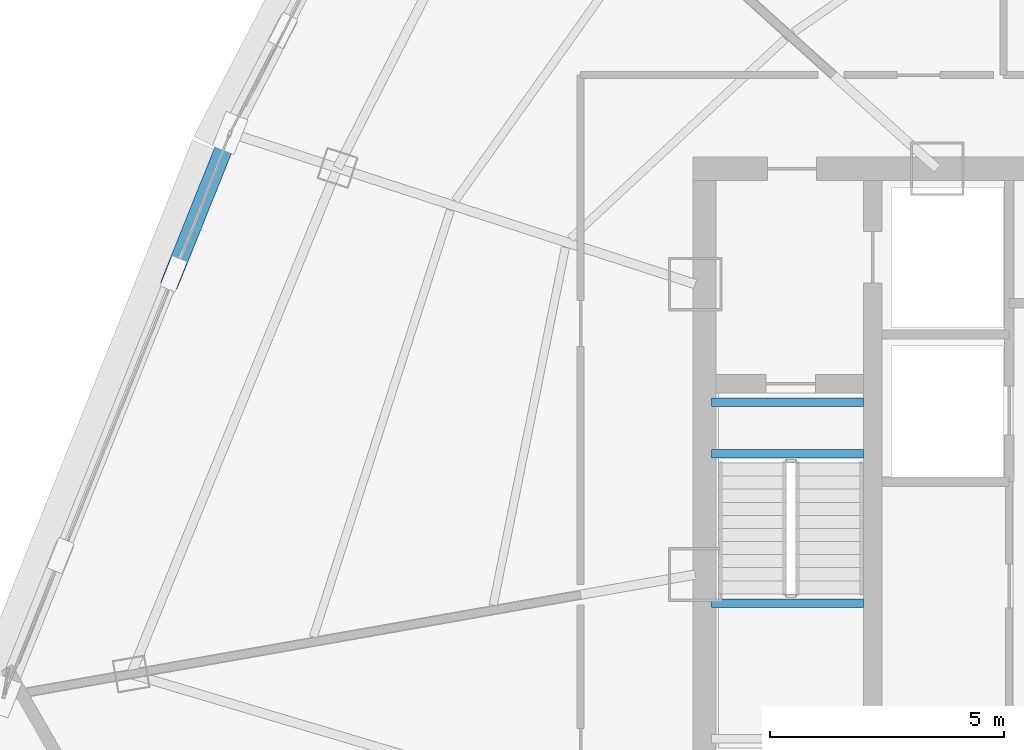
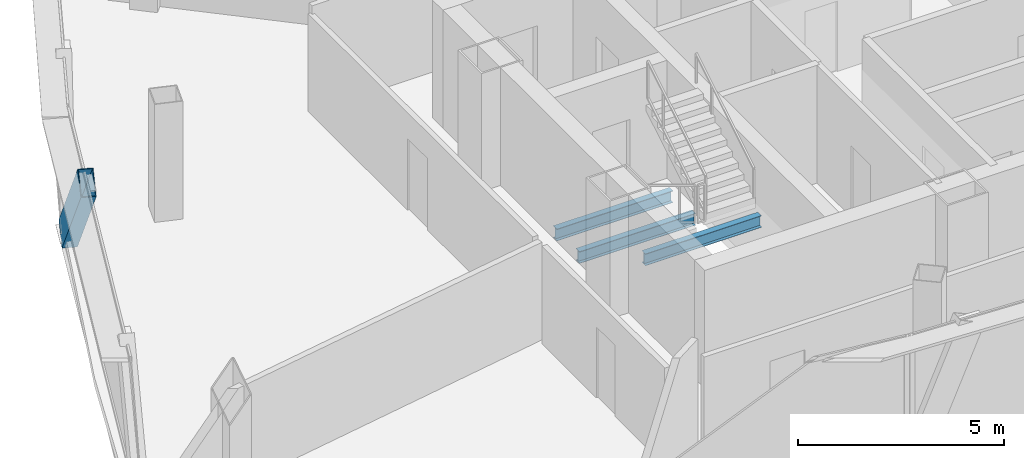
# One storey, part 6 of 30: 3 beams, 1 member.
"""IFC4 building model written with IfcOpenShell, lengths in metres."""

from ifc_helpers import new_model, si_unit, direction, frame, origin, origin_2d, place, context, subcontext, project, spatial, hollow_rectangle, i_section, extrude, source, transform, mapped, material, material_profile, profile_set, type_object, element, save


model = new_model("IFC4")

# Units and contexts
model_context = context("Model", 3, precision=1e-05, world=origin(), true_north=direction((0.0, 1.0)))
body_context = subcontext(model_context, "Body", "Model", "MODEL_VIEW")
ifc_project = project(units=[si_unit("LENGTHUNIT", "METRE"), si_unit("AREAUNIT", "SQUARE_METRE"), si_unit("VOLUMEUNIT", "CUBIC_METRE"), si_unit("PLANEANGLEUNIT", "RADIAN"), si_unit("MASSUNIT", "GRAM", prefix="KILO"), si_unit("THERMODYNAMICTEMPERATUREUNIT", "KELVIN"), si_unit("POWERUNIT", "WATT")], contexts=[model_context])

# Site, building, storey
site_placement = place(None, origin())
site = spatial("IfcSite", under=ifc_project, at=site_placement, CompositionType="ELEMENT")
building_placement = place(site_placement, origin())
building = spatial("IfcBuilding", under=site, at=building_placement, Name="Yunzhuo Pagoda Commons", CompositionType="ELEMENT")
storey_placement = place(building_placement, frame((0.0, 0.0, 351.760009765625)))
storey = spatial("IfcBuildingStorey", under=building, at=storey_placement, Name="L88", CompositionType="ELEMENT", Elevation=351.760009765625)

# Beams
ifc_material = material(Name="Structural steel Q355B", Category="steel")
ifc_material_profile_1 = material_profile(ifc_material, i_section(OverallWidth=0.175048828125, OverallDepth=0.35009765625, WebThickness=0.007080078125, FlangeThickness=0.010986328125, at=origin_2d()), Name="Structural steel Q355B")
ifc_profile_set_1 = profile_set([ifc_material_profile_1], Name="Structural steel Q355B")
beam_type = type_object("IfcBeamType", Name="B-JS2 Joist HN 350x175x7x11", PredefinedType="JOIST", material=ifc_profile_set_1)
shared_shape_1 = source(origin(), body_context, "Body", "SweptSolid", [
    extrude(i_section(OverallWidth=0.175048828125, OverallDepth=0.35009765625, WebThickness=0.007080078125, FlangeThickness=0.010986328125, at=origin_2d()), origin(), (0.0, 0.0, 1.0), 3.25),
])
for number, where, z_axis, x_axis, name in (
    (1, (35.949951171875, 30.89990234375, 1.5), (1.0, 0.0, 0.0), (0.0, 1.0, 0.0), "L88 ST1 landing support beam 94B"),
    (2, (35.949951171875, 34.10009765625, -0.375), (1.0, 0.0, 0.0), (0.0, 1.0, 0.0), "L88 ST1 landing support beam 192A"),
    (3, (35.949951171875, 35.199951171875, -0.375), (1.0, 0.0, 0.0), (0.0, 1.0, 0.0), "L88 ST1 landing support beam 192B"),
):
    element("IfcBeam", number, at=place(storey_placement, frame(where, z_axis=z_axis, x_axis=x_axis)), inside=storey, type_object=beam_type, Name=name, PredefinedType="JOIST", context=body_context, shape_type="MappedRepresentation", body=[
        mapped(shared_shape_1, transform((0.0, 0.0, 0.0), scale=1.0)),
    ])

# Member
ifc_material_profile_2 = material_profile(ifc_material, hollow_rectangle(XDim=0.3798828125, YDim=0.719970703125, WallThickness=0.02001953125, at=origin_2d()), Name="Structural steel Q355B")
ifc_profile_set_2 = profile_set([ifc_material_profile_2], Name="Structural steel Q355B")
member_type = type_object("IfcMemberType", Name="M-DL3 Brace BOX 720x380x20", PredefinedType="BRACE", material=ifc_profile_set_2)
shared_shape_2 = source(origin(), body_context, "Body", "SweptSolid", [
    extrude(hollow_rectangle(XDim=0.3798828125, YDim=0.719970703125, WallThickness=0.02001953125, at=origin_2d()), origin(), (0.0, 0.0, 1.0), 4.9609375),
])
member_placement = place(storey_placement, frame((25.646240234375, 40.963134765625, -0.260009765625), z_axis=(-0.243893842105, -0.60756928463, 0.755893747928), x_axis=(0.928019800573, -0.37253087086, 0.0)))
element("IfcMember", 4, at=member_placement, inside=storey, type_object=member_type, Name="L88 facade diamond brace F3.3L", PredefinedType="BRACE", context=body_context, shape_type="MappedRepresentation", body=[
    mapped(shared_shape_2, transform((0.0, 0.0, 0.0), scale=1.0)),
])

save(model, "model.ifc")
